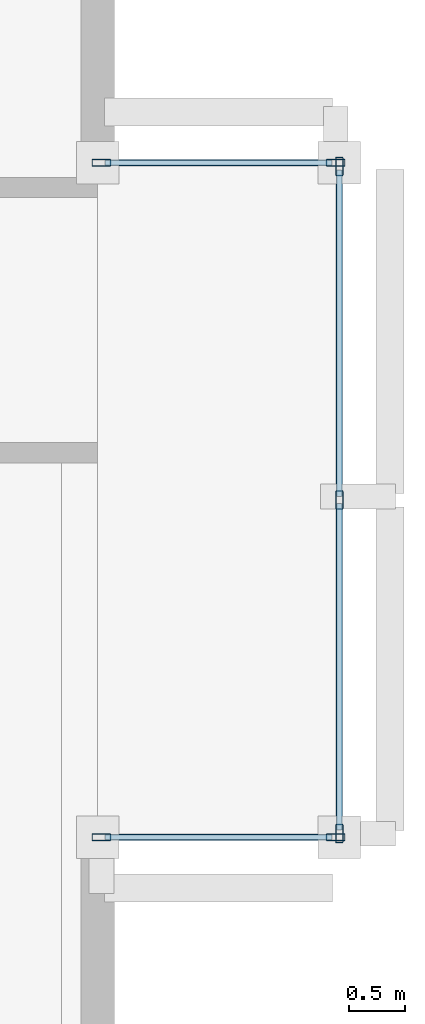
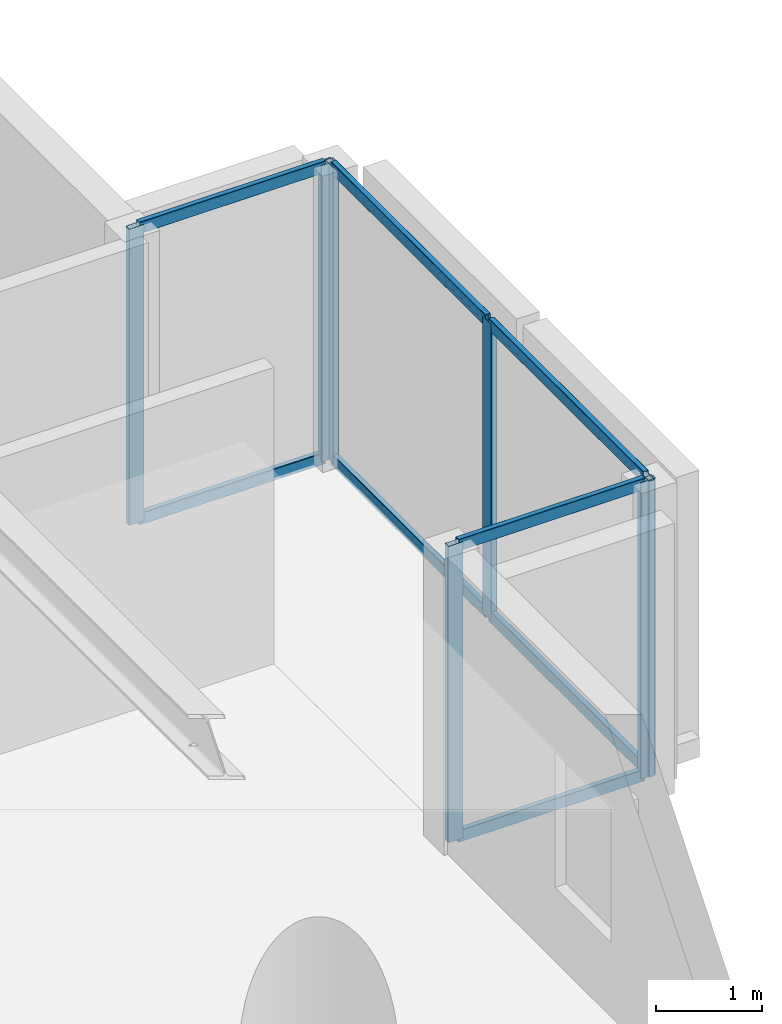
# One storey, part 6 of 17: 15 members, 3 elements without a shape of their own.
"""IFC4 building model written with IfcOpenShell, lengths in metres."""

from ifc_helpers import new_model, si_unit, direction, frame, origin, origin_2d, place, context, subcontext, project, spatial, hollow_rectangle, extrude, material, layer, layer_set, material_profile, profile_set, type_object, element, aggregate, save


model = new_model("IFC4")

# Units and contexts
model_context = context("Model", 3, precision=1e-05, world=origin(), true_north=direction((0.0, 1.0)))
body_context = subcontext(model_context, "Body", "Model", "MODEL_VIEW")
ifc_project = project(units=[si_unit("LENGTHUNIT", "METRE"), si_unit("AREAUNIT", "SQUARE_METRE"), si_unit("VOLUMEUNIT", "CUBIC_METRE"), si_unit("PLANEANGLEUNIT", "RADIAN"), si_unit("MASSUNIT", "GRAM", prefix="KILO")], contexts=[model_context])

# Site, building, storey
site_placement = place(None, origin())
site = spatial("IfcSite", under=ifc_project, at=site_placement, CompositionType="ELEMENT")
building_placement = place(site_placement, origin())
building = spatial("IfcBuilding", under=site, at=building_placement, Name="An Khanh Terracotta Commons", CompositionType="ELEMENT")
storey_placement = place(building_placement, frame((0.0, 0.0, 36.0)))
storey = spatial("IfcBuildingStorey", under=building, at=storey_placement, Name="L09", CompositionType="ELEMENT", Elevation=36.0)

# Curtain wall, members
ifc_material = material(Name="Anodised Aluminium 6063-T6", Category="aluminium")
ifc_layer = layer(ifc_material, 0.239990234375, Name="Anodised Aluminium 6063-T6")
ifc_layer_set = layer_set([ifc_layer], Name="Anodised Aluminium 6063-T6")
curtain_wall_type = type_object("IfcCurtainWallType", Name="CW-SYS-04", PredefinedType="USERDEFINED", material=ifc_layer_set)
curtain_wall_1_placement = place(storey_placement, origin())
curtain_wall_1 = element("IfcCurtainWall", 1, at=curtain_wall_1_placement, inside=storey, type_object=curtain_wall_type, Name="L09 CW-04 Unitised Curtain Wall CW-L09-EBOX-1", ObjectType="UNITISED CURTAIN WALL", PredefinedType="USERDEFINED")
ifc_material_profile_1 = material_profile(ifc_material, hollow_rectangle(XDim=0.06494140625, YDim=0.1650390625, WallThickness=0.00390625, InnerFilletRadius=0.00390625, OuterFilletRadius=0.008056640625, at=origin_2d()), Name="RHS165x65x4")
ifc_profile_set_1 = profile_set([ifc_material_profile_1], Name="Anodised Aluminium 6063-T6")
member_type_1 = type_object("IfcMemberType", Name="CWM-RHS165x65x4", PredefinedType="MULLION", material=ifc_profile_set_1)
member_1_placement = place(storey_placement, frame((53.75, 19.4326171875, 0.0), z_axis=(0.0, 0.0, 1.0), x_axis=(-1.0, 0.0, 0.0)))
member_1 = element("IfcMember", 2, at=member_1_placement, type_object=member_type_1, Name="CW-04 mullion 1", PredefinedType="MULLION", context=body_context, shape_type="SweptSolid", body=[
    extrude(hollow_rectangle(XDim=0.06494140625, YDim=0.1650390625, WallThickness=0.00390625, InnerFilletRadius=0.00390625, OuterFilletRadius=0.008056640625, at=origin_2d()), origin(), (0.0, 0.0, 1.0), 3.39990234375),
])
member_2_placement = place(storey_placement, frame((53.75, 22.39990234375, 0.0), z_axis=(0.0, 0.0, 1.0), x_axis=(-1.0, 0.0, 0.0)))
member_2 = element("IfcMember", 3, at=member_2_placement, type_object=member_type_1, Name="CW-04 mullion 2", PredefinedType="MULLION", context=body_context, shape_type="SweptSolid", body=[
    extrude(hollow_rectangle(XDim=0.06494140625, YDim=0.1650390625, WallThickness=0.00390625, InnerFilletRadius=0.00390625, OuterFilletRadius=0.008056640625, at=origin_2d()), origin(), (0.0, 0.0, 1.0), 3.39990234375),
])
member_3_placement = place(storey_placement, frame((53.75, 25.367431640625, 0.0), z_axis=(0.0, 0.0, 1.0), x_axis=(-1.0, 0.0, 0.0)))
member_3 = element("IfcMember", 4, at=member_3_placement, type_object=member_type_1, Name="CW-04 mullion 3", PredefinedType="MULLION", context=body_context, shape_type="SweptSolid", body=[
    extrude(hollow_rectangle(XDim=0.06494140625, YDim=0.1650390625, WallThickness=0.00390625, InnerFilletRadius=0.00390625, OuterFilletRadius=0.008056640625, at=origin_2d()), origin(), (0.0, 0.0, 1.0), 3.39990234375),
])

curtain_wall_2_placement = place(storey_placement, origin())
curtain_wall_2 = element("IfcCurtainWall", 5, at=curtain_wall_2_placement, inside=storey, type_object=curtain_wall_type, Name="L09 CW-04 Unitised Curtain Wall CW-L09-EBOX-2", ObjectType="UNITISED CURTAIN WALL", PredefinedType="USERDEFINED")
member_4_placement = place(storey_placement, frame((51.632568359375, 19.39990234375, 0.0), z_axis=(0.0, 0.0, 1.0), x_axis=(0.0, 1.0, 0.0)))
member_4 = element("IfcMember", 6, at=member_4_placement, type_object=member_type_1, Name="CW-04 mullion 1", PredefinedType="MULLION", context=body_context, shape_type="SweptSolid", body=[
    extrude(hollow_rectangle(XDim=0.06494140625, YDim=0.1650390625, WallThickness=0.00390625, InnerFilletRadius=0.00390625, OuterFilletRadius=0.008056640625, at=origin_2d()), origin(), (0.0, 0.0, 1.0), 3.39990234375),
])
member_5_placement = place(storey_placement, frame((53.717529296875, 19.39990234375, 0.0), z_axis=(0.0, 0.0, 1.0), x_axis=(0.0, 1.0, 0.0)))
member_5 = element("IfcMember", 7, at=member_5_placement, type_object=member_type_1, Name="CW-04 mullion 2", PredefinedType="MULLION", context=body_context, shape_type="SweptSolid", body=[
    extrude(hollow_rectangle(XDim=0.06494140625, YDim=0.1650390625, WallThickness=0.00390625, InnerFilletRadius=0.00390625, OuterFilletRadius=0.008056640625, at=origin_2d()), origin(), (0.0, 0.0, 1.0), 3.39990234375),
])

curtain_wall_3_placement = place(storey_placement, origin())
curtain_wall_3 = element("IfcCurtainWall", 8, at=curtain_wall_3_placement, inside=storey, type_object=curtain_wall_type, Name="L09 CW-04 Unitised Curtain Wall CW-L09-EBOX-3", ObjectType="UNITISED CURTAIN WALL", PredefinedType="USERDEFINED")
member_6_placement = place(storey_placement, frame((53.717529296875, 25.39990234375, 0.0), z_axis=(0.0, 0.0, 1.0), x_axis=(0.0, -1.0, 0.0)))
member_6 = element("IfcMember", 9, at=member_6_placement, type_object=member_type_1, Name="CW-04 mullion 1", PredefinedType="MULLION", context=body_context, shape_type="SweptSolid", body=[
    extrude(hollow_rectangle(XDim=0.06494140625, YDim=0.1650390625, WallThickness=0.00390625, InnerFilletRadius=0.00390625, OuterFilletRadius=0.008056640625, at=origin_2d()), origin(), (0.0, 0.0, 1.0), 3.39990234375),
])
member_7_placement = place(storey_placement, frame((51.632568359375, 25.39990234375, 0.0), z_axis=(0.0, 0.0, 1.0), x_axis=(0.0, -1.0, 0.0)))
member_7 = element("IfcMember", 10, at=member_7_placement, type_object=member_type_1, Name="CW-04 mullion 2", PredefinedType="MULLION", context=body_context, shape_type="SweptSolid", body=[
    extrude(hollow_rectangle(XDim=0.06494140625, YDim=0.1650390625, WallThickness=0.00390625, InnerFilletRadius=0.00390625, OuterFilletRadius=0.008056640625, at=origin_2d()), origin(), (0.0, 0.0, 1.0), 3.39990234375),
])

# Member
ifc_material_profile_2 = material_profile(ifc_material, hollow_rectangle(XDim=0.06005859375, YDim=0.135009765625, WallThickness=0.003662109375, InnerFilletRadius=0.003662109375, OuterFilletRadius=0.007080078125, at=origin_2d()), Name="RHS135x60x3.6")
ifc_profile_set_2 = profile_set([ifc_material_profile_2], Name="Anodised Aluminium 6063-T6")
member_type_2 = type_object("IfcMemberType", Name="CWT-RHS135x60x3.6", PredefinedType="USERDEFINED", material=ifc_profile_set_2)
member_8_placement = place(storey_placement, frame((53.75, 19.465087890625, 0.030029296875), z_axis=(0.0, 1.0, 0.0), x_axis=(-1.0, 0.0, 0.0)))
member_8 = element("IfcMember", 11, at=member_8_placement, type_object=member_type_2, Name="CW-04 transom 1.1", ObjectType="TRANSOM", PredefinedType="USERDEFINED", context=body_context, shape_type="SweptSolid", body=[
    extrude(hollow_rectangle(XDim=0.06005859375, YDim=0.135009765625, WallThickness=0.003662109375, InnerFilletRadius=0.003662109375, OuterFilletRadius=0.007080078125, at=origin_2d()), origin(), (0.0, 0.0, 1.0), 2.90234375),
])

member_9_placement = place(storey_placement, frame((53.75, 19.465087890625, 3.3701171875), z_axis=(0.0, 1.0, 0.0), x_axis=(-1.0, 0.0, 0.0)))
member_9 = element("IfcMember", 12, at=member_9_placement, type_object=member_type_2, Name="CW-04 transom 1.2", ObjectType="TRANSOM", PredefinedType="USERDEFINED", context=body_context, shape_type="SweptSolid", body=[
    extrude(hollow_rectangle(XDim=0.06005859375, YDim=0.135009765625, WallThickness=0.003662109375, InnerFilletRadius=0.003662109375, OuterFilletRadius=0.007080078125, at=origin_2d()), origin(), (0.0, 0.0, 1.0), 2.90234375),
])

member_10_placement = place(storey_placement, frame((53.75, 22.4326171875, 0.030029296875), z_axis=(0.0, 1.0, 0.0), x_axis=(-1.0, 0.0, 0.0)))
member_10 = element("IfcMember", 13, at=member_10_placement, type_object=member_type_2, Name="CW-04 transom 2.1", ObjectType="TRANSOM", PredefinedType="USERDEFINED", context=body_context, shape_type="SweptSolid", body=[
    extrude(hollow_rectangle(XDim=0.06005859375, YDim=0.135009765625, WallThickness=0.003662109375, InnerFilletRadius=0.003662109375, OuterFilletRadius=0.007080078125, at=origin_2d()), origin(), (0.0, 0.0, 1.0), 2.90234375),
])

member_11_placement = place(storey_placement, frame((53.75, 22.4326171875, 3.3701171875), z_axis=(0.0, 1.0, 0.0), x_axis=(-1.0, 0.0, 0.0)))
member_11 = element("IfcMember", 14, at=member_11_placement, type_object=member_type_2, Name="CW-04 transom 2.2", ObjectType="TRANSOM", PredefinedType="USERDEFINED", context=body_context, shape_type="SweptSolid", body=[
    extrude(hollow_rectangle(XDim=0.06005859375, YDim=0.135009765625, WallThickness=0.003662109375, InnerFilletRadius=0.003662109375, OuterFilletRadius=0.007080078125, at=origin_2d()), origin(), (0.0, 0.0, 1.0), 2.90234375),
])

aggregate(curtain_wall_1, [member_1, member_2, member_3, member_8, member_9, member_10, member_11])

member_12_placement = place(storey_placement, frame((51.6650390625, 19.39990234375, 0.030029296875), z_axis=(1.0, 0.0, 0.0), x_axis=(0.0, 1.0, 0.0)))
member_12 = element("IfcMember", 15, at=member_12_placement, type_object=member_type_2, Name="CW-04 transom 1.1", ObjectType="TRANSOM", PredefinedType="USERDEFINED", context=body_context, shape_type="SweptSolid", body=[
    extrude(hollow_rectangle(XDim=0.06005859375, YDim=0.135009765625, WallThickness=0.003662109375, InnerFilletRadius=0.003662109375, OuterFilletRadius=0.007080078125, at=origin_2d()), origin(), (0.0, 0.0, 1.0), 2.02001953125),
])

member_13_placement = place(storey_placement, frame((51.6650390625, 19.39990234375, 3.3701171875), z_axis=(1.0, 0.0, 0.0), x_axis=(0.0, 1.0, 0.0)))
member_13 = element("IfcMember", 16, at=member_13_placement, type_object=member_type_2, Name="CW-04 transom 1.2", ObjectType="TRANSOM", PredefinedType="USERDEFINED", context=body_context, shape_type="SweptSolid", body=[
    extrude(hollow_rectangle(XDim=0.06005859375, YDim=0.135009765625, WallThickness=0.003662109375, InnerFilletRadius=0.003662109375, OuterFilletRadius=0.007080078125, at=origin_2d()), origin(), (0.0, 0.0, 1.0), 2.02001953125),
])

aggregate(curtain_wall_2, [member_4, member_5, member_12, member_13])

member_14_placement = place(storey_placement, frame((53.68505859375, 25.39990234375, 0.030029296875), z_axis=(-1.0, 0.0, 0.0), x_axis=(0.0, -1.0, 0.0)))
member_14 = element("IfcMember", 17, at=member_14_placement, type_object=member_type_2, Name="CW-04 transom 1.1", ObjectType="TRANSOM", PredefinedType="USERDEFINED", context=body_context, shape_type="SweptSolid", body=[
    extrude(hollow_rectangle(XDim=0.06005859375, YDim=0.135009765625, WallThickness=0.003662109375, InnerFilletRadius=0.003662109375, OuterFilletRadius=0.007080078125, at=origin_2d()), origin(), (0.0, 0.0, 1.0), 2.02001953125),
])

member_15_placement = place(storey_placement, frame((53.68505859375, 25.39990234375, 3.3701171875), z_axis=(-1.0, 0.0, 0.0), x_axis=(0.0, -1.0, 0.0)))
member_15 = element("IfcMember", 18, at=member_15_placement, type_object=member_type_2, Name="CW-04 transom 1.2", ObjectType="TRANSOM", PredefinedType="USERDEFINED", context=body_context, shape_type="SweptSolid", body=[
    extrude(hollow_rectangle(XDim=0.06005859375, YDim=0.135009765625, WallThickness=0.003662109375, InnerFilletRadius=0.003662109375, OuterFilletRadius=0.007080078125, at=origin_2d()), origin(), (0.0, 0.0, 1.0), 2.02001953125),
])

aggregate(curtain_wall_3, [member_6, member_7, member_14, member_15])

save(model, "model.ifc")
